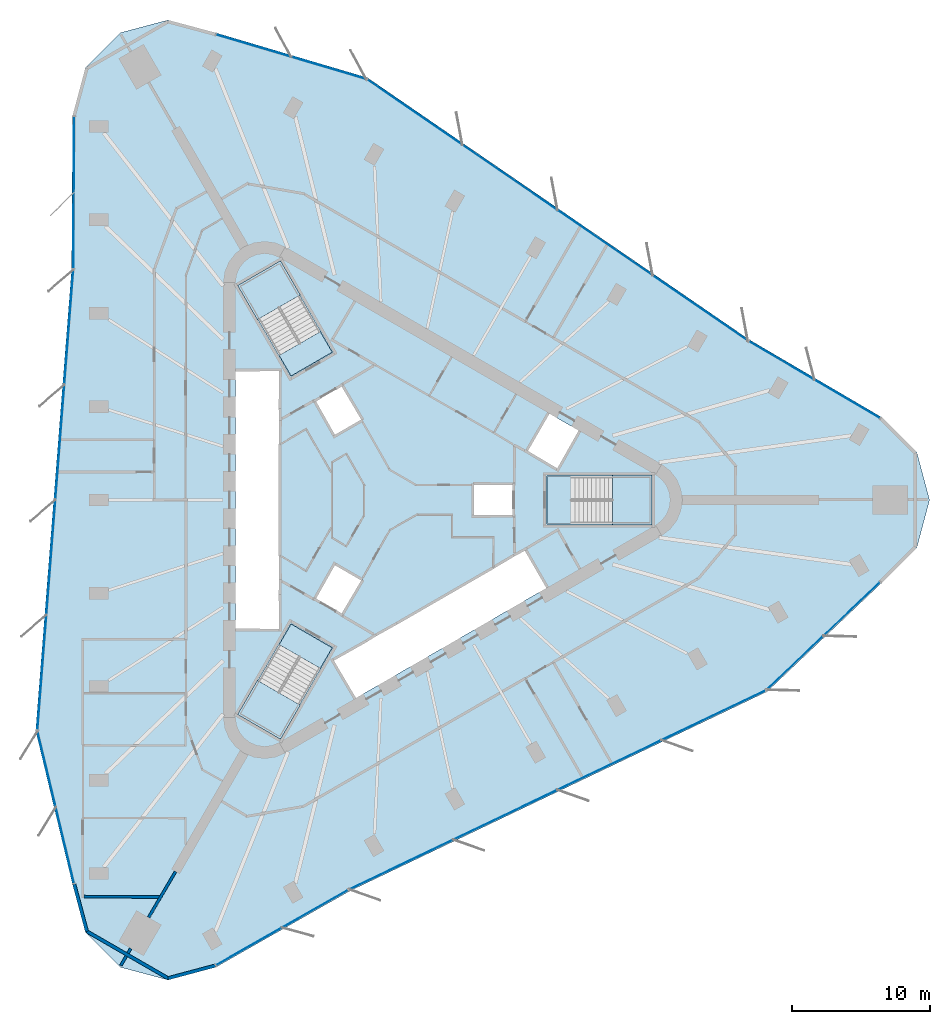
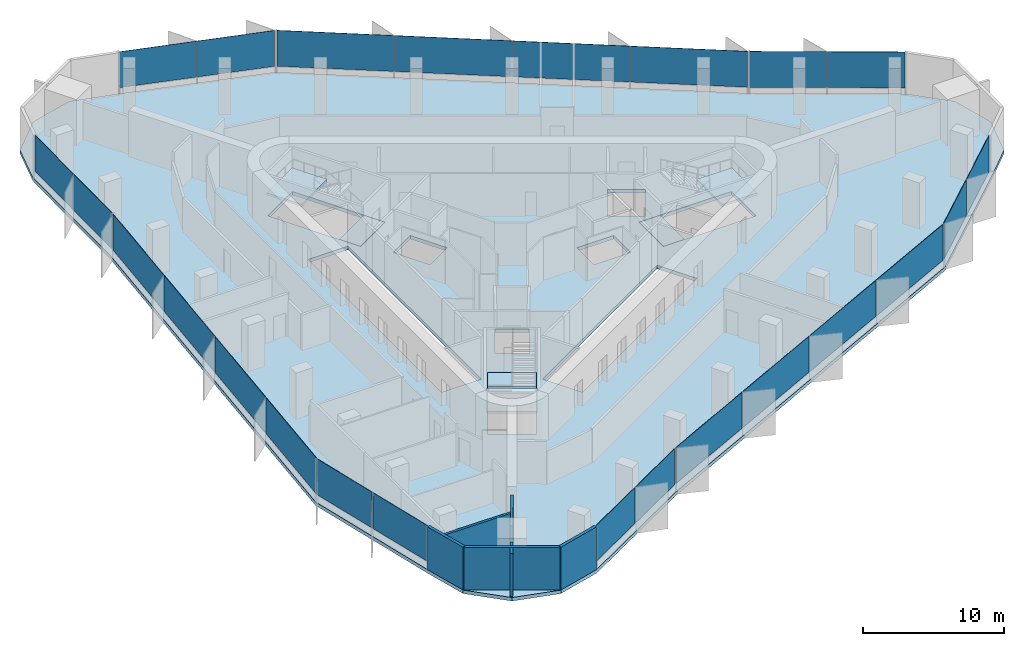
# One storey, part 7 of 13: 24 plates, 7 slabs, 7 walls, 12 elements without a shape of their own.
"""IFC4 building model written with IfcOpenShell, lengths in metres."""

from ifc_helpers import new_model, si_unit, direction, frame, frame_2d, origin, origin_2d, place, context, subcontext, project, spatial, polyline, rectangle, outline, extrude, material, layer, layer_set, type_object, element, aggregate, save


model = new_model("IFC4")

# Units and contexts
model_context = context("Model", 3, precision=1e-05, world=origin(), true_north=direction((0.0, 1.0)))
body_context = subcontext(model_context, "Body", "Model", "MODEL_VIEW")
ifc_project = project(units=[si_unit("LENGTHUNIT", "METRE"), si_unit("AREAUNIT", "SQUARE_METRE"), si_unit("VOLUMEUNIT", "CUBIC_METRE"), si_unit("PLANEANGLEUNIT", "RADIAN"), si_unit("MASSUNIT", "GRAM", prefix="KILO")], contexts=[model_context])

# Site, building, storey
site_placement = place(None, origin())
site = spatial("IfcSite", under=ifc_project, at=site_placement, CompositionType="ELEMENT")
building_placement = place(site_placement, origin())
building = spatial("IfcBuilding", under=site, at=building_placement, Name="Tanit Gate Tower", CompositionType="ELEMENT")
storey_placement = place(building_placement, frame((0.0, 0.0, 269.199951171875)))
storey = spatial("IfcBuildingStorey", under=building, at=storey_placement, Name="L61", CompositionType="ELEMENT", Elevation=269.199951171875)

# Slab
ifc_material_1 = material(Name="Concrete C35/45", Category="concrete")
ifc_layer_1 = layer(ifc_material_1, 0.300048828125)
ifc_layer_set_1 = layer_set([ifc_layer_1], Name="FLOOR SLAB 300 C35/45")
slab_type_1 = type_object("IfcSlabType", Name="FLOOR SLAB 300 C35/45", PredefinedType="FLOOR", material=ifc_layer_set_1)
slab_1_placement = place(storey_placement, frame((0.0, 0.0, -0.300048828125)))
element("IfcSlab", 1, at=slab_1_placement, inside=storey, type_object=slab_type_1, Name="FLOOR SLAB L61", PredefinedType="FLOOR", context=body_context, shape_type="SweptSolid", body=[
    extrude(outline(polyline([(35.658935546875, 5.9951171875), (38.19287109375, 3.461181640625), (39.1201171875, 0.0), (38.19287109375, -3.461181640625), (35.658935546875, -5.9951171875), (27.339111328125, -13.89208984375), (-2.942626953125, -28.364013671875), (-12.637451171875, -33.879150390625), (-16.098876953125, -34.806640625), (-19.56005859375, -33.879150390625), (-22.093994140625, -31.34521484375), (-23.021484375, -27.8837890625), (-25.7001953125, -16.73046875), (-23.092529296875, 16.73046875), (-23.021484375, 27.8837890625), (-22.093994140625, 31.34521484375), (-19.56005859375, 33.879150390625), (-16.098876953125, 34.806640625), (-12.637451171875, 33.879150390625), (-1.638671875, 30.622314453125), (26.03515625, 11.633544921875), (35.658935546875, 5.9951171875)]), holes=[polyline([(11.3701171875, 1.72998046875), (18.929931640625, 1.72998046875), (18.929931640625, -1.72998046875), (11.3701171875, -1.72998046875), (11.3701171875, 1.72998046875)]), polyline([(9.82080078125, 3.510009765625), (11.44580078125, 6.324462890625), (13.783935546875, 4.974609375), (12.158935546875, 2.159912109375), (9.82080078125, 3.510009765625)]), polyline([(-4.208984375, -11.60986328125), (9.82080078125, -3.510009765625), (11.44580078125, -6.324462890625), (-2.583984375, -14.424560546875), (-4.208984375, -11.60986328125)]), polyline([(6.0, 1.199951171875), (9.0, 1.199951171875), (9.0, -1.199951171875), (6.0, -1.199951171875), (6.0, 1.199951171875)]), polyline([(-5.539306640625, 7.194091796875), (-3.460693359375, 8.394287109375), (-1.960693359375, 5.796142578125), (-4.039306640625, 4.59619140625), (-5.539306640625, 7.194091796875)]), polyline([(-1.960693359375, -5.796142578125), (-3.460693359375, -8.394287109375), (-5.539306640625, -7.194091796875), (-4.039306640625, -4.59619140625), (-1.960693359375, -5.796142578125)]), polyline([(-10.963134765625, 15.52880859375), (-7.966796875, 17.2587890625), (-4.186767578125, 10.711669921875), (-7.18310546875, 8.981689453125), (-10.963134765625, 15.52880859375)]), polyline([(-4.186767578125, -10.711669921875), (-7.966796875, -17.2587890625), (-10.963134765625, -15.52880859375), (-7.18310546875, -8.981689453125), (-4.186767578125, -10.711669921875)]), polyline([(-11.199951171875, -9.449951171875), (-11.199951171875, 9.449951171875), (-7.949951171875, 9.449951171875), (-7.949951171875, -9.449951171875), (-11.199951171875, -9.449951171875)])]), origin(), (0.0, 0.0, 1.0), 0.300048828125),
])

# Curtain wall, plates
ifc_material_2 = material(Name="Aluminium bronze anodised and glass", Category="aluminium")
curtain_wall_type = type_object("IfcCurtainWallType", Name="Curtain wall typical mid", PredefinedType="NOTDEFINED", material=ifc_material_2)
curtain_wall_1_placement = place(storey_placement, origin())
curtain_wall_1 = element("IfcCurtainWall", 2, at=curtain_wall_1_placement, inside=storey, type_object=curtain_wall_type, Name="Curtain wall L61 NE1", PredefinedType="NOTDEFINED")
ifc_material_3 = material(Name="Glass tinted", Category="glass")
ifc_layer_2 = layer(ifc_material_3, 0.030029296875)
ifc_layer_set_2 = layer_set([ifc_layer_2], Name="Glass panel 30 typical mid")
plate_type = type_object("IfcPlateType", Name="Glass panel 30 typical mid", PredefinedType="CURTAIN_PANEL", material=ifc_layer_set_2)
plate_1_placement = place(storey_placement, frame((33.1640625, 7.317626953125, 0.60009765625), z_axis=(0.0, 0.0, 1.0), x_axis=(-0.862821001903, 0.505509563386, 0.0)))
plate_1 = element("IfcPlate", 3, at=plate_1_placement, type_object=plate_type, Name="Glass panel L61 NE1.1", PredefinedType="CURTAIN_PANEL", context=body_context, shape_type="SweptSolid", body=[
    extrude(rectangle(XDim=5.451416015625, YDim=0.030029296875, at=origin_2d()), origin(), (0.0, 0.0, 1.0), 3.10009765625),
])
plate_2_placement = place(storey_placement, frame((28.3916015625, 10.11376953125, 0.60009765625), z_axis=(0.0, 0.0, 1.0), x_axis=(-0.862821001903, 0.505509563386, 0.0)))
plate_2 = element("IfcPlate", 4, at=plate_2_placement, type_object=plate_type, Name="Glass panel L61 NE1.2", PredefinedType="CURTAIN_PANEL", context=body_context, shape_type="SweptSolid", body=[
    extrude(rectangle(XDim=5.451416015625, YDim=0.030029296875, at=origin_2d()), origin(), (0.0, 0.0, 1.0), 3.10009765625),
])
aggregate(curtain_wall_1, [plate_1, plate_2])

curtain_wall_2_placement = place(storey_placement, origin())
curtain_wall_2 = element("IfcCurtainWall", 5, at=curtain_wall_2_placement, inside=storey, type_object=curtain_wall_type, Name="Curtain wall L61 NE2", PredefinedType="NOTDEFINED")
plate_3_placement = place(storey_placement, frame((22.48828125, 13.921630859375, 0.60009765625), z_axis=(0.0, 0.0, 1.0), x_axis=(-0.824556572821, 0.565779513784, 0.0)))
plate_3 = element("IfcPlate", 6, at=plate_3_placement, type_object=plate_type, Name="Glass panel L61 NE2.1", PredefinedType="CURTAIN_PANEL", context=body_context, shape_type="SweptSolid", body=[
    extrude(rectangle(XDim=8.286865234375, YDim=0.030029296875, at=origin_2d()), origin(), (0.0, 0.0, 1.0), 3.10009765625),
])
plate_4_placement = place(storey_placement, frame((15.58935546875, 18.655517578125, 0.60009765625), z_axis=(0.0, 0.0, 1.0), x_axis=(-0.824556572821, 0.565779513784, 0.0)))
plate_4 = element("IfcPlate", 7, at=plate_4_placement, type_object=plate_type, Name="Glass panel L61 NE2.2", PredefinedType="CURTAIN_PANEL", context=body_context, shape_type="SweptSolid", body=[
    extrude(rectangle(XDim=8.286865234375, YDim=0.030029296875, at=origin_2d()), origin(), (0.0, 0.0, 1.0), 3.10009765625),
])
plate_5_placement = place(storey_placement, frame((8.6904296875, 23.38916015625, 0.60009765625), z_axis=(0.0, 0.0, 1.0), x_axis=(-0.824556572821, 0.565779513784, 0.0)))
plate_5 = element("IfcPlate", 8, at=plate_5_placement, type_object=plate_type, Name="Glass panel L61 NE2.3", PredefinedType="CURTAIN_PANEL", context=body_context, shape_type="SweptSolid", body=[
    extrude(rectangle(XDim=8.286865234375, YDim=0.030029296875, at=origin_2d()), origin(), (0.0, 0.0, 1.0), 3.10009765625),
])
plate_6_placement = place(storey_placement, frame((1.79150390625, 28.123046875, 0.60009765625), z_axis=(0.0, 0.0, 1.0), x_axis=(-0.824556572821, 0.565779513784, 0.0)))
plate_6 = element("IfcPlate", 9, at=plate_6_placement, type_object=plate_type, Name="Glass panel L61 NE2.4", PredefinedType="CURTAIN_PANEL", context=body_context, shape_type="SweptSolid", body=[
    extrude(rectangle(XDim=8.286865234375, YDim=0.030029296875, at=origin_2d()), origin(), (0.0, 0.0, 1.0), 3.10009765625),
])
aggregate(curtain_wall_2, [plate_3, plate_4, plate_5, plate_6])

curtain_wall_3_placement = place(storey_placement, origin())
curtain_wall_3 = element("IfcCurtainWall", 10, at=curtain_wall_3_placement, inside=storey, type_object=curtain_wall_type, Name="Curtain wall L61 NE3", PredefinedType="NOTDEFINED")
plate_7_placement = place(storey_placement, frame((-4.454833984375, 31.3310546875, 0.60009765625), z_axis=(0.0, 0.0, 1.0), x_axis=(-0.95884800892, 0.283919875653, 0.0)))
plate_7 = element("IfcPlate", 11, at=plate_7_placement, type_object=plate_type, Name="Glass panel L61 NE3.1", PredefinedType="CURTAIN_PANEL", context=body_context, shape_type="SweptSolid", body=[
    extrude(rectangle(XDim=5.60498046875, YDim=0.030029296875, at=origin_2d()), origin(), (0.0, 0.0, 1.0), 3.10009765625),
])
plate_8_placement = place(storey_placement, frame((-9.906005859375, 32.945068359375, 0.60009765625), z_axis=(0.0, 0.0, 1.0), x_axis=(-0.95884800892, 0.283919875653, 0.0)))
plate_8 = element("IfcPlate", 12, at=plate_8_placement, type_object=plate_type, Name="Glass panel L61 NE3.2", PredefinedType="CURTAIN_PANEL", context=body_context, shape_type="SweptSolid", body=[
    extrude(rectangle(XDim=5.60498046875, YDim=0.030029296875, at=origin_2d()), origin(), (0.0, 0.0, 1.0), 3.10009765625),
])
aggregate(curtain_wall_3, [plate_7, plate_8])

curtain_wall_4_placement = place(storey_placement, origin())
curtain_wall_4 = element("IfcCurtainWall", 13, at=curtain_wall_4_placement, inside=storey, type_object=curtain_wall_type, Name="Curtain wall L61 W1", PredefinedType="NOTDEFINED")
plate_9_placement = place(storey_placement, frame((-22.91943359375, 25.062255859375, 0.60009765625), z_axis=(0.0, 0.0, 1.0), x_axis=(-0.006373622797, -0.99997968826, 0.0)))
plate_9 = element("IfcPlate", 14, at=plate_9_placement, type_object=plate_type, Name="Glass panel L61 W1.1", PredefinedType="CURTAIN_PANEL", context=body_context, shape_type="SweptSolid", body=[
    extrude(rectangle(XDim=5.451416015625, YDim=0.030029296875, at=origin_2d()), origin(), (0.0, 0.0, 1.0), 3.10009765625),
])
plate_10_placement = place(storey_placement, frame((-22.95458984375, 19.531005859375, 0.60009765625), z_axis=(0.0, 0.0, 1.0), x_axis=(-0.006373622797, -0.99997968826, 0.0)))
plate_10 = element("IfcPlate", 15, at=plate_10_placement, type_object=plate_type, Name="Glass panel L61 W1.2", PredefinedType="CURTAIN_PANEL", context=body_context, shape_type="SweptSolid", body=[
    extrude(rectangle(XDim=5.451416015625, YDim=0.030029296875, at=origin_2d()), origin(), (0.0, 0.0, 1.0), 3.10009765625),
])
aggregate(curtain_wall_4, [plate_9, plate_10])

curtain_wall_5_placement = place(storey_placement, origin())
curtain_wall_5 = element("IfcCurtainWall", 16, at=curtain_wall_5_placement, inside=storey, type_object=curtain_wall_type, Name="Curtain wall L61 W2", PredefinedType="NOTDEFINED")
plate_11_placement = place(storey_placement, frame((-23.30078125, 12.5146484375, 0.60009765625), z_axis=(0.0, 0.0, 1.0), x_axis=(-0.077701145467, -0.996976695812, 0.0)))
plate_11 = element("IfcPlate", 17, at=plate_11_placement, type_object=plate_type, Name="Glass panel L61 W2.1", PredefinedType="CURTAIN_PANEL", context=body_context, shape_type="SweptSolid", body=[
    extrude(rectangle(XDim=8.286865234375, YDim=0.030029296875, at=origin_2d()), origin(), (0.0, 0.0, 1.0), 3.10009765625),
])
plate_12_placement = place(storey_placement, frame((-23.950927734375, 4.173095703125, 0.60009765625), z_axis=(0.0, 0.0, 1.0), x_axis=(-0.077701145467, -0.996976695812, 0.0)))
plate_12 = element("IfcPlate", 18, at=plate_12_placement, type_object=plate_type, Name="Glass panel L61 W2.2", PredefinedType="CURTAIN_PANEL", context=body_context, shape_type="SweptSolid", body=[
    extrude(rectangle(XDim=8.286865234375, YDim=0.030029296875, at=origin_2d()), origin(), (0.0, 0.0, 1.0), 3.10009765625),
])
plate_13_placement = place(storey_placement, frame((-24.600830078125, -4.16845703125, 0.60009765625), z_axis=(0.0, 0.0, 1.0), x_axis=(-0.077701145467, -0.996976695812, 0.0)))
plate_13 = element("IfcPlate", 19, at=plate_13_placement, type_object=plate_type, Name="Glass panel L61 W2.3", PredefinedType="CURTAIN_PANEL", context=body_context, shape_type="SweptSolid", body=[
    extrude(rectangle(XDim=8.286865234375, YDim=0.030029296875, at=origin_2d()), origin(), (0.0, 0.0, 1.0), 3.10009765625),
])
plate_14_placement = place(storey_placement, frame((-25.2509765625, -12.510009765625, 0.60009765625), z_axis=(0.0, 0.0, 1.0), x_axis=(-0.077701145467, -0.996976695812, 0.0)))
plate_14 = element("IfcPlate", 20, at=plate_14_placement, type_object=plate_type, Name="Glass panel L61 W2.4", PredefinedType="CURTAIN_PANEL", context=body_context, shape_type="SweptSolid", body=[
    extrude(rectangle(XDim=8.286865234375, YDim=0.030029296875, at=origin_2d()), origin(), (0.0, 0.0, 1.0), 3.10009765625),
])
aggregate(curtain_wall_5, [plate_11, plate_12, plate_13, plate_14])

curtain_wall_6_placement = place(storey_placement, origin())
curtain_wall_6 = element("IfcCurtainWall", 21, at=curtain_wall_6_placement, inside=storey, type_object=curtain_wall_type, Name="Curtain wall L61 W3", PredefinedType="NOTDEFINED")
plate_15_placement = place(storey_placement, frame((-24.906005859375, -19.523681640625, 0.60009765625), z_axis=(0.0, 0.0, 1.0), x_axis=(0.233542179505, -0.972346671919, 0.0)))
plate_15 = element("IfcPlate", 22, at=plate_15_placement, type_object=plate_type, Name="Glass panel L61 W3.1", PredefinedType="CURTAIN_PANEL", context=body_context, shape_type="SweptSolid", body=[
    extrude(rectangle(XDim=5.60498046875, YDim=0.030029296875, at=origin_2d()), origin(), (0.0, 0.0, 1.0), 3.10009765625),
])
plate_16_placement = place(storey_placement, frame((-23.578369140625, -25.051513671875, 0.60009765625), z_axis=(0.0, 0.0, 1.0), x_axis=(0.233542179505, -0.972346671919, 0.0)))
plate_16 = element("IfcPlate", 23, at=plate_16_placement, type_object=plate_type, Name="Glass panel L61 W3.2", PredefinedType="CURTAIN_PANEL", context=body_context, shape_type="SweptSolid", body=[
    extrude(rectangle(XDim=5.60498046875, YDim=0.030029296875, at=origin_2d()), origin(), (0.0, 0.0, 1.0), 3.10009765625),
])
aggregate(curtain_wall_6, [plate_15, plate_16])

curtain_wall_7_placement = place(storey_placement, origin())
curtain_wall_7 = element("IfcCurtainWall", 24, at=curtain_wall_7_placement, inside=storey, type_object=curtain_wall_type, Name="Curtain wall L61 SE1", PredefinedType="NOTDEFINED")
plate_17_placement = place(storey_placement, frame((-10.244873046875, -32.3798828125, 0.60009765625), z_axis=(0.0, 0.0, 1.0), x_axis=(0.8691946247, 0.494470124873, 0.0)))
plate_17 = element("IfcPlate", 25, at=plate_17_placement, type_object=plate_type, Name="Glass panel L61 SE1.1", PredefinedType="CURTAIN_PANEL", context=body_context, shape_type="SweptSolid", body=[
    extrude(rectangle(XDim=5.451416015625, YDim=0.030029296875, at=origin_2d()), origin(), (0.0, 0.0, 1.0), 3.10009765625),
])
plate_18_placement = place(storey_placement, frame((-5.43701171875, -29.644775390625, 0.60009765625), z_axis=(0.0, 0.0, 1.0), x_axis=(0.8691946247, 0.494470124873, 0.0)))
plate_18 = element("IfcPlate", 26, at=plate_18_placement, type_object=plate_type, Name="Glass panel L61 SE1.2", PredefinedType="CURTAIN_PANEL", context=body_context, shape_type="SweptSolid", body=[
    extrude(rectangle(XDim=5.451416015625, YDim=0.030029296875, at=origin_2d()), origin(), (0.0, 0.0, 1.0), 3.10009765625),
])
aggregate(curtain_wall_7, [plate_17, plate_18])

curtain_wall_8_placement = place(storey_placement, origin())
curtain_wall_8 = element("IfcCurtainWall", 27, at=curtain_wall_8_placement, inside=storey, type_object=curtain_wall_type, Name="Curtain wall L61 SE2", PredefinedType="NOTDEFINED")
plate_19_placement = place(storey_placement, frame((0.812255859375, -26.436279296875, 0.60009765625), z_axis=(0.0, 0.0, 1.0), x_axis=(0.902257718288, 0.431197182029, 0.0)))
plate_19 = element("IfcPlate", 28, at=plate_19_placement, type_object=plate_type, Name="Glass panel L61 SE2.1", PredefinedType="CURTAIN_PANEL", context=body_context, shape_type="SweptSolid", body=[
    extrude(rectangle(XDim=8.286865234375, YDim=0.030029296875, at=origin_2d()), origin(), (0.0, 0.0, 1.0), 3.10009765625),
])
plate_20_placement = place(storey_placement, frame((8.361572265625, -22.82861328125, 0.60009765625), z_axis=(0.0, 0.0, 1.0), x_axis=(0.902257718288, 0.431197182029, 0.0)))
plate_20 = element("IfcPlate", 29, at=plate_20_placement, type_object=plate_type, Name="Glass panel L61 SE2.2", PredefinedType="CURTAIN_PANEL", context=body_context, shape_type="SweptSolid", body=[
    extrude(rectangle(XDim=8.286865234375, YDim=0.030029296875, at=origin_2d()), origin(), (0.0, 0.0, 1.0), 3.10009765625),
])
plate_21_placement = place(storey_placement, frame((15.910400390625, -19.220703125, 0.60009765625), z_axis=(0.0, 0.0, 1.0), x_axis=(0.902257718288, 0.431197182029, 0.0)))
plate_21 = element("IfcPlate", 30, at=plate_21_placement, type_object=plate_type, Name="Glass panel L61 SE2.3", PredefinedType="CURTAIN_PANEL", context=body_context, shape_type="SweptSolid", body=[
    extrude(rectangle(XDim=8.286865234375, YDim=0.030029296875, at=origin_2d()), origin(), (0.0, 0.0, 1.0), 3.10009765625),
])
plate_22_placement = place(storey_placement, frame((23.45947265625, -15.613037109375, 0.60009765625), z_axis=(0.0, 0.0, 1.0), x_axis=(0.902257718288, 0.431197182029, 0.0)))
plate_22 = element("IfcPlate", 31, at=plate_22_placement, type_object=plate_type, Name="Glass panel L61 SE2.4", PredefinedType="CURTAIN_PANEL", context=body_context, shape_type="SweptSolid", body=[
    extrude(rectangle(XDim=8.286865234375, YDim=0.030029296875, at=origin_2d()), origin(), (0.0, 0.0, 1.0), 3.10009765625),
])
aggregate(curtain_wall_8, [plate_19, plate_20, plate_21, plate_22])

curtain_wall_9_placement = place(storey_placement, origin())
curtain_wall_9 = element("IfcCurtainWall", 32, at=curtain_wall_9_placement, inside=storey, type_object=curtain_wall_type, Name="Curtain wall L61 SE3", PredefinedType="NOTDEFINED")
plate_23_placement = place(storey_placement, frame((29.36083984375, -11.807373046875, 0.60009765625), z_axis=(0.0, 0.0, 1.0), x_axis=(0.725305829415, 0.688426796266, 0.0)))
plate_23 = element("IfcPlate", 33, at=plate_23_placement, type_object=plate_type, Name="Glass panel L61 SE3.1", PredefinedType="CURTAIN_PANEL", context=body_context, shape_type="SweptSolid", body=[
    extrude(rectangle(XDim=5.60498046875, YDim=0.030029296875, at=origin_2d()), origin(), (0.0, 0.0, 1.0), 3.10009765625),
])
plate_24_placement = place(storey_placement, frame((33.484375, -7.8935546875, 0.60009765625), z_axis=(0.0, 0.0, 1.0), x_axis=(0.725305829415, 0.688426796266, 0.0)))
plate_24 = element("IfcPlate", 34, at=plate_24_placement, type_object=plate_type, Name="Glass panel L61 SE3.2", PredefinedType="CURTAIN_PANEL", context=body_context, shape_type="SweptSolid", body=[
    extrude(rectangle(XDim=5.60498046875, YDim=0.030029296875, at=origin_2d()), origin(), (0.0, 0.0, 1.0), 3.10009765625),
])
aggregate(curtain_wall_9, [plate_23, plate_24])

# Stair, slab
ifc_material_4 = material(Name="Concrete C40/50", Category="concrete")
stair_type = type_object("IfcStairType", Name="INT-STAIR-EXIT", PredefinedType="HALF_TURN_STAIR", material=ifc_material_4)
stair_1_placement = place(storey_placement, origin())
stair_1 = element("IfcStair", 35, at=stair_1_placement, inside=storey, type_object=stair_type, Name="L61 STAIR S1", PredefinedType="HALF_TURN_STAIR")
ifc_material_5 = material(Name="Concrete C40/50", Category="concrete")
ifc_layer_3 = layer(ifc_material_5, 0.199951171875)
ifc_layer_set_3 = layer_set([ifc_layer_3], Name="INT-STAIR-LANDING")
slab_type_2 = type_object("IfcSlabType", Name="INT-STAIR-LANDING", PredefinedType="LANDING", material=ifc_layer_set_3)
slab_2_placement = place(storey_placement, frame((0.0, 0.0, 1.800048828125)))
slab_2 = element("IfcSlab", 36, at=slab_2_placement, type_object=slab_type_2, Name="S1 landing 1", PredefinedType="LANDING", context=body_context, shape_type="SweptSolid", body=[
    extrude(outline(polyline([(16.135986328125, -1.800048828125), (19.0, -1.800048828125), (19.0, 1.800048828125), (16.135986328125, 1.800048828125), (16.135986328125, -1.800048828125)])), origin(), (0.0, 0.0, 1.0), 0.199951171875),
])
aggregate(stair_1, [slab_2])

# Slab
slab_3_placement = place(storey_placement, frame((0.0, 0.0, -0.199951171875)))
element("IfcSlab", 37, at=slab_3_placement, inside=storey, type_object=slab_type_2, Name="S1 floor landing", PredefinedType="LANDING", context=body_context, shape_type="SweptSolid", body=[
    extrude(outline(polyline([(11.3798828125, -1.719970703125), (13.10498046875, -1.719970703125), (13.10498046875, 1.719970703125), (11.3798828125, 1.719970703125), (11.3798828125, -1.719970703125)])), origin(), (0.0, 0.0, 1.0), 0.199951171875),
])

# Stair, slab
stair_2_placement = place(storey_placement, origin())
stair_2 = element("IfcStair", 38, at=stair_2_placement, inside=storey, type_object=stair_type, Name="L61 STAIR S2", PredefinedType="HALF_TURN_STAIR")
slab_4_placement = place(storey_placement, frame((0.0, 0.0, 1.800048828125)))
slab_4 = element("IfcSlab", 39, at=slab_4_placement, type_object=slab_type_2, Name="S2 landing 1", PredefinedType="LANDING", context=body_context, shape_type="SweptSolid", body=[
    extrude(outline(polyline([(-6.5078125, 14.871826171875), (-7.941162109375, 17.3544921875), (-11.058837890625, 15.554443359375), (-9.62548828125, 13.07177734375), (-6.5078125, 14.871826171875)])), origin(), (0.0, 0.0, 1.0), 0.199951171875),
])
aggregate(stair_2, [slab_4])

# Slab
slab_5_placement = place(storey_placement, frame((0.0, 0.0, -0.199951171875)))
element("IfcSlab", 40, at=slab_5_placement, inside=storey, type_object=slab_type_2, Name="S2 floor landing", PredefinedType="LANDING", context=body_context, shape_type="SweptSolid", body=[
    extrude(outline(polyline([(-4.200439453125, 10.71533203125), (-5.0625, 12.20849609375), (-8.04150390625, 10.48828125), (-7.179443359375, 8.995361328125), (-4.200439453125, 10.71533203125)])), origin(), (0.0, 0.0, 1.0), 0.199951171875),
])

# Stair, slab
stair_3_placement = place(storey_placement, origin())
stair_3 = element("IfcStair", 41, at=stair_3_placement, inside=storey, type_object=stair_type, Name="L61 STAIR S3", PredefinedType="HALF_TURN_STAIR")
slab_6_placement = place(storey_placement, frame((0.0, 0.0, 1.800048828125)))
slab_6 = element("IfcSlab", 42, at=slab_6_placement, type_object=slab_type_2, Name="S3 landing 1", PredefinedType="LANDING", context=body_context, shape_type="SweptSolid", body=[
    extrude(outline(polyline([(-9.626953125, -13.07421875), (-11.058837890625, -15.554443359375), (-7.941162109375, -17.3544921875), (-6.509033203125, -14.874267578125), (-9.626953125, -13.07421875)])), origin(), (0.0, 0.0, 1.0), 0.199951171875),
])
aggregate(stair_3, [slab_6])

# Slab
slab_7_placement = place(storey_placement, frame((0.0, 0.0, -0.199951171875)))
element("IfcSlab", 43, at=slab_7_placement, inside=storey, type_object=slab_type_2, Name="S3 floor landing", PredefinedType="LANDING", context=body_context, shape_type="SweptSolid", body=[
    extrude(outline(polyline([(-7.179443359375, -8.995361328125), (-8.0419921875, -10.4892578125), (-5.06298828125, -12.209228515625), (-4.200439453125, -10.71533203125), (-7.179443359375, -8.995361328125)])), origin(), (0.0, 0.0, 1.0), 0.199951171875),
])

# Walls
ifc_material_6 = material(Name="Concrete C30/37 with bronze anodised aluminium cladding", Category="concrete")
ifc_layer_4 = layer(ifc_material_6, 0.239990234375)
ifc_layer_set_4 = layer_set([ifc_layer_4], Name="Facade wall bronze clad 240")
wall_type_1 = type_object("IfcWallType", Name="Facade wall bronze clad 240", PredefinedType="SOLIDWALL", material=ifc_layer_set_4)
wall_1_placement = place(storey_placement, frame((-22.905029296875, -27.8544921875, 0.0), z_axis=(0.0, 0.0, 1.0), x_axis=(0.258814010312, -0.965927175343, 0.0)))
element("IfcWall", 44, at=wall_1_placement, inside=storey, type_object=wall_type_1, Name="Bronze-clad facade wall L61 SW.arc1", PredefinedType="SOLIDWALL", context=body_context, shape_type="SweptSolid", body=[
    extrude(rectangle(XDim=3.549560546875, YDim=0.239990234375, at=frame_2d((1.77490234375, 0.0))), origin(), (0.0, 0.0, 1.0), 3.699951171875),
])
wall_2_placement = place(storey_placement, frame((-21.986328125, -31.283203125, 0.0), z_axis=(0.0, 0.0, 1.0), x_axis=(0.866022320763, -0.500005339912, 0.0)))
element("IfcWall", 45, at=wall_2_placement, inside=storey, type_object=wall_type_1, Name="Bronze-clad facade wall L61 SW.arc2", PredefinedType="SOLIDWALL", context=body_context, shape_type="SweptSolid", body=[
    extrude(rectangle(XDim=6.79833984375, YDim=0.239990234375, at=frame_2d((3.399169921875, 0.0))), origin(), (0.0, 0.0, 1.0), 3.699951171875),
])
wall_3_placement = place(storey_placement, frame((-16.098876953125, -34.682373046875, 0.0), z_axis=(0.0, 0.0, 1.0), x_axis=(0.965919080444, 0.258844219627, 0.0)))
element("IfcWall", 46, at=wall_3_placement, inside=storey, type_object=wall_type_1, Name="Bronze-clad facade wall L61 SW.arc3", PredefinedType="SOLIDWALL", context=body_context, shape_type="SweptSolid", body=[
    extrude(rectangle(XDim=3.5361328125, YDim=0.239990234375, at=frame_2d((1.76806640625, 0.0))), origin(), (0.0, 0.0, 1.0), 3.699951171875),
])
ifc_material_7 = material(Name="Fire-rated gypsum board partition")
ifc_layer_5 = layer(ifc_material_7, 0.199951171875)
ifc_layer_set_5 = layer_set([ifc_layer_5], Name="INT-WALL-COMPARTMENT")
wall_type_2 = type_object("IfcWallType", Name="INT-WALL-COMPARTMENT", PredefinedType="PARTITIONING", material=ifc_layer_set_5)
wall_4_placement = place(storey_placement, frame((-15.557373046875, -26.946044921875, 0.0), z_axis=(0.0, 0.0, 1.0), x_axis=(-0.506699088554, -0.862122980588, 0.0)))
element("IfcWall", 47, at=wall_4_placement, inside=storey, type_object=wall_type_2, Name="Wall Compartment W130", PredefinedType="PARTITIONING", context=body_context, shape_type="SweptSolid", body=[
    extrude(rectangle(XDim=3.85546875, YDim=0.199951171875, at=frame_2d((1.927734375, 0.0))), origin(), (0.0, 0.0, 1.0), 3.27001953125),
])
wall_5_placement = place(storey_placement, frame((-18.81103515625, -32.521728515625, 0.0), z_axis=(0.0, 0.0, 1.0), x_axis=(-0.500061319399, -0.865989998118, 0.0)))
element("IfcWall", 48, at=wall_5_placement, inside=storey, type_object=wall_type_2, Name="Wall Compartment W114", PredefinedType="PARTITIONING", context=body_context, shape_type="SweptSolid", body=[
    extrude(rectangle(XDim=0.39501953125, YDim=0.199951171875, at=frame_2d((0.197509765625, 0.0))), origin(), (0.0, 0.0, 1.0), 3.699951171875),
])
wall_6_placement = place(storey_placement, frame((-19.128662109375, -33.071533203125, 0.0), z_axis=(0.0, 0.0, 1.0), x_axis=(-0.499929430274, -0.866066143401, 0.0)))
element("IfcWall", 49, at=wall_6_placement, inside=storey, type_object=wall_type_2, Name="Wall Compartment W114x1", PredefinedType="PARTITIONING", context=body_context, shape_type="SweptSolid", body=[
    extrude(rectangle(XDim=0.78271484375, YDim=0.199951171875, at=frame_2d((0.391357421875, 0.0))), origin(), (0.0, 0.0, 1.0), 3.699951171875),
])
wall_7_placement = place(storey_placement, frame((-22.179931640625, -28.760498046875, 0.0), z_axis=(0.0, 0.0, 1.0), x_axis=(0.999985875988, -0.005314868268, 0.0)))
element("IfcWall", 50, at=wall_7_placement, inside=storey, type_object=wall_type_2, Name="Wall Compartment W121", PredefinedType="PARTITIONING", context=body_context, shape_type="SweptSolid", body=[
    extrude(rectangle(XDim=5.55810546875, YDim=0.199951171875, at=frame_2d((2.779052734375, 0.0))), origin(), (0.0, 0.0, 1.0), 3.27001953125),
])

save(model, "model.ifc")
